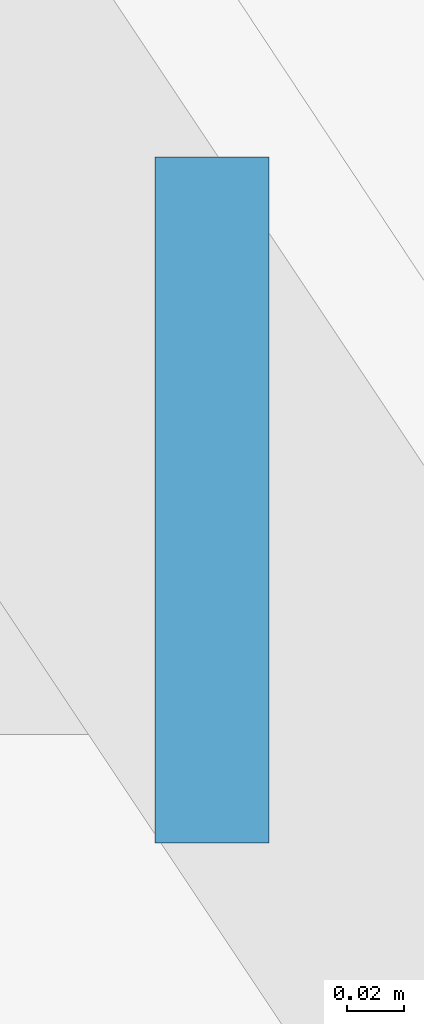
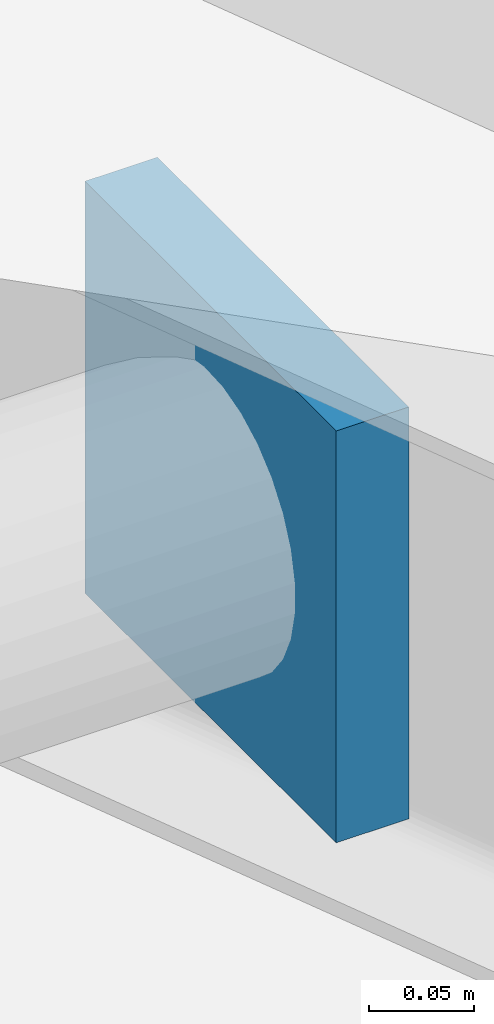
# One storey, part 46 of 53: 1 discrete accessory.
"""IFC4 building model written with IfcOpenShell, lengths in metres."""

from ifc_helpers import new_model, si_unit, direction, frame, origin, origin_2d, place, context, subcontext, project, spatial, rectangle, extrude, material, type_object, element, save


model = new_model("IFC4")

# Units and contexts
model_context = context("Model", 3, precision=1e-05, world=origin(), true_north=direction((0.0, 1.0)))
body_context = subcontext(model_context, "Body", "Model", "MODEL_VIEW")
ifc_project = project(units=[si_unit("LENGTHUNIT", "METRE"), si_unit("AREAUNIT", "SQUARE_METRE"), si_unit("VOLUMEUNIT", "CUBIC_METRE"), si_unit("PLANEANGLEUNIT", "RADIAN"), si_unit("MASSUNIT", "GRAM", prefix="KILO")], contexts=[model_context])

# Site, building, storey
site_placement = place(None, origin())
site = spatial("IfcSite", under=ifc_project, at=site_placement, CompositionType="ELEMENT")
building_placement = place(site_placement, origin())
building = spatial("IfcBuilding", under=site, at=building_placement, Name="Kazehaya Institute of Natural Sciences", CompositionType="ELEMENT")
storey_placement = place(building_placement, frame((0.0, 0.0, 33.300048828125)))
storey = spatial("IfcBuildingStorey", under=building, at=storey_placement, Name="L07", CompositionType="ELEMENT", Elevation=33.300048828125)

# Discrete accessory
ifc_material = material(Name="Structural steel SN490B", Category="steel")
discrete_accessory_type = type_object("IfcDiscreteAccessoryType", Name="ACC-STL-CAP", PredefinedType="BRACKET", material=ifc_material)
discrete_accessory_placement = place(storey_placement, frame((108.60791015625, 91.39990234375, 0.80712890625), z_axis=(0.0, 0.0, 1.0), x_axis=(1.0, 0.0, 0.0)))
element("IfcDiscreteAccessory", 1, at=discrete_accessory_placement, inside=storey, type_object=discrete_accessory_type, Name="ROOF-VOL5 hollow purlin welded end cap 7 E", PredefinedType="BRACKET", context=body_context, shape_type="SweptSolid", body=[
    extrude(rectangle(XDim=0.0400390625, YDim=0.239990234375, at=origin_2d()), origin(), (0.0, 0.0, 1.0), 0.239990234375),
])

save(model, "model.ifc")
